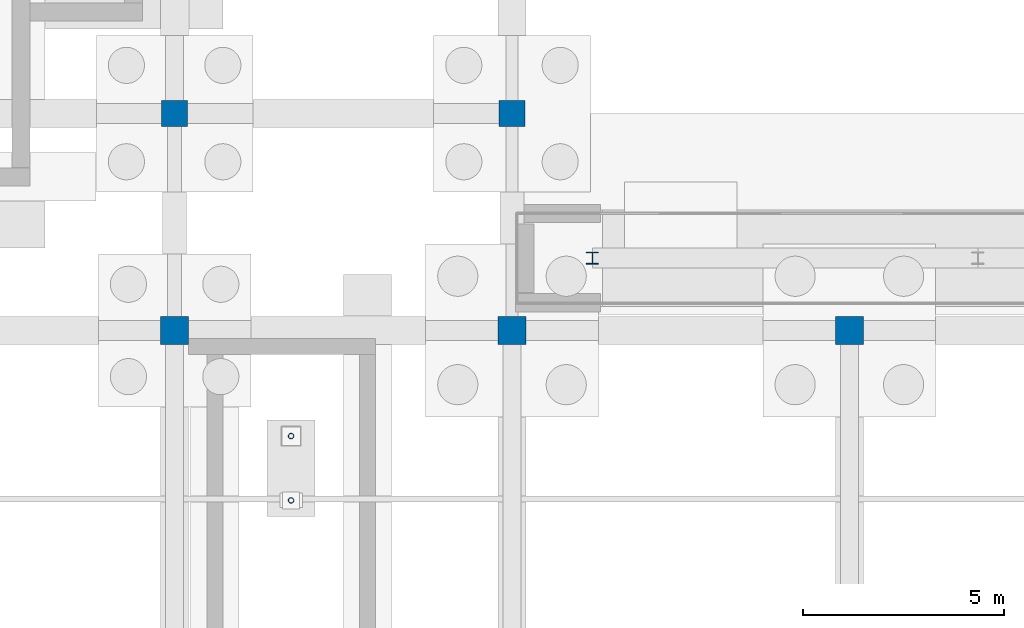
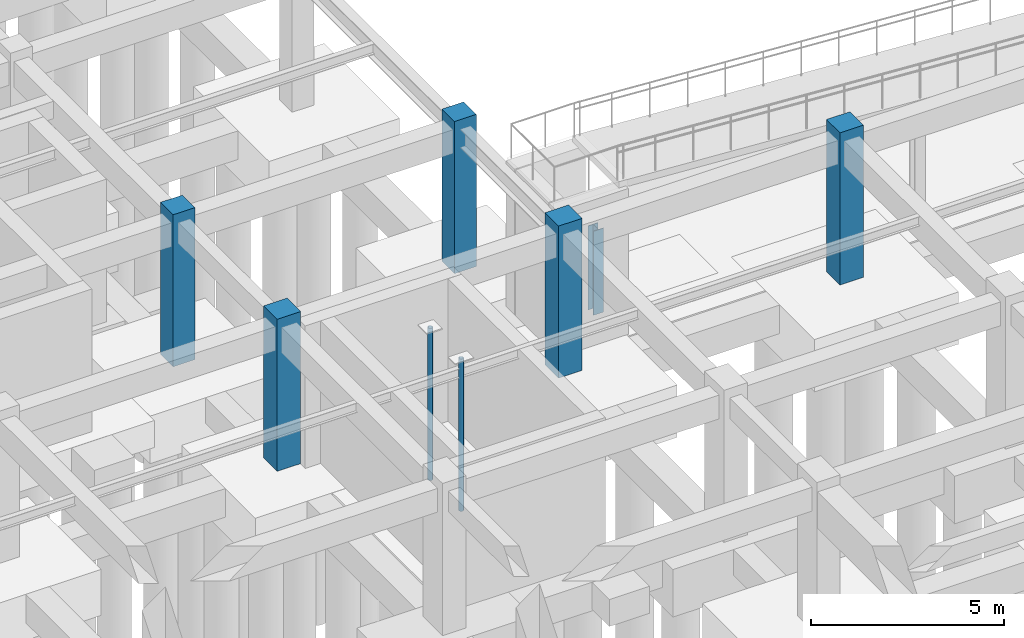
# One storey, part 16 of 49: 8 columns.
"""IFC4 building model written with IfcOpenShell, lengths in metres."""

import ifcopenshell
import ifcopenshell.guid

model = None  # the IFC model being written
_history = None  # IfcOwnerHistory: only IFC2X3 demands one
_inside = {}  # id of a spatial element -> (the spatial element, [elements in it])
_under = {}  # id of a project, library or spatial element -> (it, [spatial elements below it])
_declared = {}  # id of a project -> (the project, [libraries it declares])
_typed = {}  # id of a type object -> (the type object, [elements of that type])
_made_of = {}  # id of a material, layer set ... -> (it, [elements and type objects made of it])


def new_model(schema):
    """Start an empty IFC model of exactly this schema.

    Asked for "IFC4X3", IfcOpenShell would pick the latest addendum, in which some entities
    have other attributes; the version numbers below select the first issue.
    IFC2X3 requires an IfcOwnerHistory on every rooted entity: one is made here for all.
    """
    global model, _history
    if schema == "IFC4X3":
        model = ifcopenshell.file(schema_version=(4, 3, 0, 0))
    else:
        model = ifcopenshell.file(schema=schema)
    _inside.clear()
    _under.clear()
    _declared.clear()
    _typed.clear()
    _made_of.clear()
    _history = None
    if model.schema == "IFC2X3":
        org = make("IfcOrganization", Name="unknown")
        user = make(
            "IfcPersonAndOrganization",
            ThePerson=make("IfcPerson", FamilyName="unknown"),
            TheOrganization=org,
        )
        app = make(
            "IfcApplication",
            ApplicationDeveloper=org,
            Version="unknown",
            ApplicationFullName="unknown",
            ApplicationIdentifier="unknown",
        )
        _history = make(
            "IfcOwnerHistory",
            OwningUser=user,
            OwningApplication=app,
            ChangeAction="ADDED",
            CreationDate=0,
        )
    return model


def make(cls, **values):
    """One entity of the class cls with the attributes given. An attribute that is None is left unset."""
    return model.create_entity(
        cls, **{name: value for name, value in values.items() if value is not None}
    )


def rooted(cls, **values):
    """An entity with a GlobalId (a new one), such as an element, a storey or a relation."""
    return make(cls, GlobalId=ifcopenshell.guid.new(), OwnerHistory=_history, **values)


def si_unit(unit_type, name, prefix=None):
    """IfcSIUnit, for example si_unit("LENGTHUNIT", "METRE", prefix="MILLI")."""
    return make("IfcSIUnit", UnitType=unit_type, Prefix=prefix, Name=name)


def assignment(units):
    """IfcUnitAssignment: the units of a project."""
    return None if units is None else make("IfcUnitAssignment", Units=units)


def point(xyz):
    """IfcCartesianPoint."""
    return None if xyz is None else make("IfcCartesianPoint", Coordinates=xyz)


def direction(xyz):
    """IfcDirection."""
    return None if xyz is None else make("IfcDirection", DirectionRatios=xyz)


def frame(location, z_axis=None, x_axis=None):
    """IfcAxis2Placement3D, a coordinate frame: its origin and axes. An axis left out is left unset."""
    return make(
        "IfcAxis2Placement3D",
        Location=point(location),
        Axis=direction(z_axis),
        RefDirection=direction(x_axis),
    )


def frame_2d(location, x_axis=None):
    """IfcAxis2Placement2D, a coordinate frame in the plane: its origin and x axis."""
    return make(
        "IfcAxis2Placement2D", Location=point(location), RefDirection=direction(x_axis)
    )


def origin():
    """The frame at (0, 0, 0) with its axes left unset."""
    return frame((0.0, 0.0, 0.0))


def origin_2d():
    """The frame at (0, 0) in the plane with its x axis left unset."""
    return frame_2d((0.0, 0.0))


def place(relative_to, where):
    """IfcLocalPlacement: puts the frame where relative to a parent placement (None: the world)."""
    return make(
        "IfcLocalPlacement", PlacementRelTo=relative_to, RelativePlacement=where
    )


def context(
    kind, dimensions, precision=None, world=None, true_north=None, identifier=None
):
    """IfcGeometricRepresentationContext, for example the 3D "Model" context."""
    return make(
        "IfcGeometricRepresentationContext",
        ContextIdentifier=identifier,
        ContextType=kind,
        CoordinateSpaceDimension=dimensions,
        Precision=precision,
        WorldCoordinateSystem=world,
        TrueNorth=true_north,
    )


def subcontext(parent, identifier, kind, view, scale=None):
    """IfcGeometricRepresentationSubContext, for example "Body" below "Model"."""
    return make(
        "IfcGeometricRepresentationSubContext",
        ContextIdentifier=identifier,
        ContextType=kind,
        ParentContext=parent,
        TargetScale=scale,
        TargetView=view,
    )


def project(units=None, contexts=None):
    """IfcProject with its units and contexts."""
    return rooted(
        "IfcProject",
        Name="project",
        RepresentationContexts=contexts,
        UnitsInContext=assignment(units),
    )


def spatial(cls, under=None, at=None, **own):
    """A site, building, storey or space (cls), placed at a placement, below another one or the project."""
    s = rooted(cls, ObjectPlacement=at, **own)
    if under is not None:
        _under.setdefault(under.id(), (under, []))[1].append(s)
    return s


def profile(cls, at=None, kind="AREA", **sizes):
    """A parametric profile (cls). Its sizes go by their IFC names, for example OverallWidth=200.0."""
    return make(cls, ProfileType=kind, Position=at, **sizes)


def rectangle(**sizes):
    """IfcRectangleProfileDef."""
    return profile("IfcRectangleProfileDef", **sizes)


def hollow_circle(**sizes):
    """IfcCircleHollowProfileDef."""
    return profile("IfcCircleHollowProfileDef", **sizes)


def i_section(**sizes):
    """IfcIShapeProfileDef."""
    return profile("IfcIShapeProfileDef", **sizes)


def extrude(swept, where, along, depth):
    """IfcExtrudedAreaSolid: the profile swept, set in the frame where, extruded along a direction by depth."""
    return make(
        "IfcExtrudedAreaSolid",
        SweptArea=swept,
        Position=where,
        ExtrudedDirection=direction(along),
        Depth=depth,
    )


def shape(context_of_items, identifier, shape_type, items):
    """IfcShapeRepresentation: the items that make up one representation, for example the "Body"."""
    return make(
        "IfcShapeRepresentation",
        ContextOfItems=context_of_items,
        RepresentationIdentifier=identifier,
        RepresentationType=shape_type,
        Items=items,
    )


def material(Name=None, Category=None):
    """IfcMaterial."""
    return make("IfcMaterial", Name=Name, Category=Category)


def material_profile(
    of_material, cross_section, Name=None, Category=None, Priority=None
):
    """IfcMaterialProfile: a cross section and its material."""
    return make(
        "IfcMaterialProfile",
        Name=Name,
        Material=of_material,
        Profile=cross_section,
        Priority=Priority,
        Category=Category,
    )


def profile_set(profiles, Name=None, composite=None):
    """IfcMaterialProfileSet."""
    return make(
        "IfcMaterialProfileSet",
        Name=Name,
        MaterialProfiles=profiles,
        CompositeProfile=composite,
    )


def made_of(thing, what):
    """Note that an element or type object is made of a material, layer set ...; save() writes the relation."""
    if what is not None:
        _made_of.setdefault(what.id(), (what, []))[1].append(thing)
    return thing


def type_object(cls, material=None, **own):
    """A type object (cls), such as IfcWallType, which elements share."""
    return made_of(rooted(cls, **own), material)


def element(
    cls,
    number,
    at=None,
    inside=None,
    cuts=None,
    type_object=None,
    material=None,
    context=None,
    identifier="Body",
    shape_type=None,
    held_by="IfcProductDefinitionShape",
    body=None,
    shapes=None,
    **own,
):
    """One element of the class cls, such as IfcWall. Its Tag is "e" and its number.

    at: its placement. inside: the storey or other place that contains it. cuts: it is an
    opening in that element (IfcRelVoidsElement). A single representation is given by context,
    identifier, shape_type and body (its items); several are given by shapes. held_by: the class
    of the entity that holds the representations. save() writes the other relations.
    """
    e = rooted(cls, Tag="e%d" % number, ObjectPlacement=at, **own)
    if body is not None:
        shapes = [shape(context, identifier, shape_type, body)]
    if shapes is not None:
        e.Representation = make(held_by, Representations=shapes)
    if inside is not None:
        _inside.setdefault(inside.id(), (inside, []))[1].append(e)
    if cuts is not None:
        rooted(
            "IfcRelVoidsElement", RelatingBuildingElement=cuts, RelatedOpeningElement=e
        )
    if type_object is not None:
        _typed.setdefault(type_object.id(), (type_object, []))[1].append(e)
    return made_of(e, material)


def aggregate(whole, parts):
    """IfcRelAggregates: a whole, such as a stair, and the parts it consists of."""
    return rooted("IfcRelAggregates", RelatingObject=whole, RelatedObjects=parts)


def save(model, path):
    """Write the relations noted so far, then the file.

    IfcRelAggregates (storeys below a building ...), IfcRelContainedInSpatialStructure (elements
    in a storey), IfcRelDefinesByType, IfcRelAssociatesMaterial and IfcRelDeclares: one each for
    every whole, place, type object, material and project.
    """
    for whole, parts in _under.values():
        aggregate(whole, parts)
    for where, things in _inside.values():
        rooted(
            "IfcRelContainedInSpatialStructure",
            RelatedElements=things,
            RelatingStructure=where,
        )
    for kind, things in _typed.values():
        rooted("IfcRelDefinesByType", RelatedObjects=things, RelatingType=kind)
    for what, things in _made_of.values():
        rooted("IfcRelAssociatesMaterial", RelatedObjects=things, RelatingMaterial=what)
    for by, libraries in _declared.values():
        rooted("IfcRelDeclares", RelatingContext=by, RelatedDefinitions=libraries)
    model.write(path)


model = new_model("IFC4")

# Units and contexts
model_context = context("Model", 3, precision=1e-05, world=origin(), true_north=direction((0.0, 1.0)))
body_context = subcontext(model_context, "Body", "Model", "MODEL_VIEW")
ifc_project = project(units=[si_unit("LENGTHUNIT", "METRE"), si_unit("AREAUNIT", "SQUARE_METRE"), si_unit("VOLUMEUNIT", "CUBIC_METRE"), si_unit("PLANEANGLEUNIT", "RADIAN"), si_unit("MASSUNIT", "GRAM", prefix="KILO")], contexts=[model_context])

# Site, building, storey
site_placement = place(None, origin())
site = spatial("IfcSite", under=ifc_project, at=site_placement, CompositionType="ELEMENT")
building_placement = place(site_placement, origin())
building = spatial("IfcBuilding", under=site, at=building_placement, Name="Krzemoval Escarpment Law Courts", CompositionType="ELEMENT")
storey_placement = place(building_placement, frame((0.0, 0.0, -4.800048828125)))
storey = spatial("IfcBuildingStorey", under=building, at=storey_placement, Name="B1", CompositionType="ELEMENT", Elevation=-4.800048828125)

# Columns
ifc_material_1 = material(Name="Concrete C40/50", Category="concrete")
ifc_material_profile_1 = material_profile(ifc_material_1, rectangle(XDim=0.64990234375, YDim=0.64990234375, at=origin_2d()), Name="RC 650x650")
ifc_profile_set_1 = profile_set([ifc_material_profile_1], Name="Concrete C40/50")
column_type_1 = type_object("IfcColumnType", Name="COL-RC-650", PredefinedType="COLUMN", material=ifc_profile_set_1)
for number, where, z_axis, x_axis, name in (
    (1, (33.60009765625, 40.800048828125, 0.0), (0.0, 0.0, 1.0), (1.0, 0.0, 0.0), "Column FC-B1-0066"),
    (2, (42.0, 40.800048828125, 0.0), (0.0, 0.0, 1.0), (1.0, 0.0, 0.0), "Column FC-B1-0083"),
):
    element("IfcColumn", number, at=place(storey_placement, frame(where, z_axis=z_axis, x_axis=x_axis)), inside=storey, type_object=column_type_1, Name=name, PredefinedType="COLUMN", context=body_context, shape_type="SweptSolid", body=[
        extrude(rectangle(XDim=0.64990234375, YDim=0.64990234375, at=origin_2d()), origin(), (0.0, 0.0, 1.0), 4.800048828125),
    ])
ifc_material_2 = material(Name="Concrete C40/50", Category="concrete")
ifc_material_profile_2 = material_profile(ifc_material_2, rectangle(XDim=0.699951171875, YDim=0.699951171875, at=origin_2d()), Name="RC 700x700")
ifc_profile_set_2 = profile_set([ifc_material_profile_2], Name="Concrete C40/50")
column_type_2 = type_object("IfcColumnType", Name="COL-RC-700", PredefinedType="COLUMN", material=ifc_profile_set_2)
for number, where, z_axis, x_axis, name in (
    (3, (33.60009765625, 35.39990234375, 0.0), (0.0, 0.0, 1.0), (1.0, 0.0, 0.0), "Column FC-B1-0065"),
    (4, (42.0, 35.39990234375, 0.0), (0.0, 0.0, 1.0), (1.0, 0.0, 0.0), "Column FC-B1-0082"),
    (5, (50.39990234375, 35.39990234375, 0.0), (0.0, 0.0, 1.0), (1.0, 0.0, 0.0), "Column FC-B1-0099"),
):
    element("IfcColumn", number, at=place(storey_placement, frame(where, z_axis=z_axis, x_axis=x_axis)), inside=storey, type_object=column_type_2, Name=name, PredefinedType="COLUMN", context=body_context, shape_type="SweptSolid", body=[
        extrude(rectangle(XDim=0.699951171875, YDim=0.699951171875, at=origin_2d()), origin(), (0.0, 0.0, 1.0), 4.800048828125),
    ])
ifc_material_3 = material(Name="Steel S355", Category="steel")
ifc_material_profile_3 = material_profile(ifc_material_3, hollow_circle(Radius=0.06982421875, WallThickness=0.008056640625, at=origin_2d()), Name="CHS 139.7x8")
ifc_profile_set_3 = profile_set([ifc_material_profile_3], Name="Steel S355")
column_type_3 = type_object("IfcColumnType", Name="COL-S355-CHS140", PredefinedType="COLUMN", material=ifc_profile_set_3)
for number, where, z_axis, x_axis, name in (
    (6, (36.5, 32.77001953125, 0.0), (0.0, 0.0, 1.0), (1.0, 0.0, 0.0), "Stair Well Post SCP-C7-B1-1"),
    (7, (36.5, 31.169921875, 0.0), (0.0, 0.0, 1.0), (1.0, 0.0, 0.0), "Stair Well Post SCP-C7-B1-2"),
):
    element("IfcColumn", number, at=place(storey_placement, frame(where, z_axis=z_axis, x_axis=x_axis)), inside=storey, type_object=column_type_3, Name=name, PredefinedType="COLUMN", context=body_context, shape_type="SweptSolid", body=[
        extrude(hollow_circle(Radius=0.06982421875, WallThickness=0.008056640625, at=origin_2d()), origin(), (0.0, 0.0, 1.0), 4.800048828125),
    ])
ifc_material_4 = material(Name="Steel S355", Category="steel")
ifc_material_profile_4 = material_profile(ifc_material_4, i_section(OverallWidth=0.300048828125, OverallDepth=0.300048828125, WebThickness=0.010986328125, FlangeThickness=0.01904296875, at=origin_2d()), Name="HEB 300")
ifc_profile_set_4 = profile_set([ifc_material_profile_4], Name="Steel S355")
column_type_4 = type_object("IfcColumnType", Name="COL-S355-HEB300", PredefinedType="COLUMN", material=ifc_profile_set_4)
column_placement = place(storey_placement, frame((44.0, 37.199951171875, 0.0), z_axis=(0.0, 0.0, 1.0), x_axis=(1.0, 0.0, 0.0)))
element("IfcColumn", 8, at=column_placement, inside=storey, type_object=column_type_4, Name="Ramp Support Column RC-RMPA-01", PredefinedType="COLUMN", context=body_context, shape_type="SweptSolid", body=[
    extrude(i_section(OverallWidth=0.300048828125, OverallDepth=0.300048828125, WebThickness=0.010986328125, FlangeThickness=0.01904296875, at=origin_2d()), origin(), (0.0, 0.0, 1.0), 2.650146484375),
])

save(model, "model.ifc")
